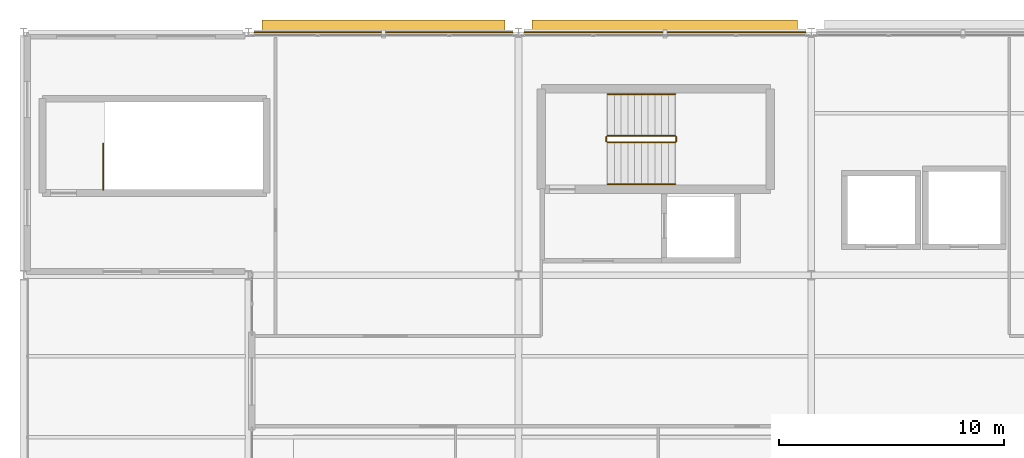
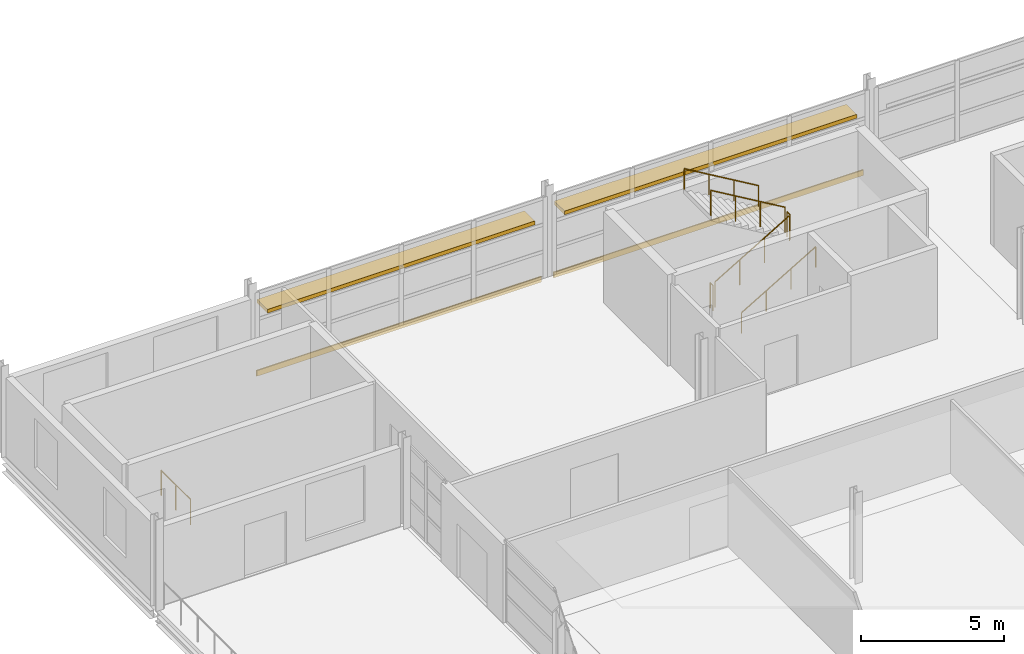
# One storey, part 32 of 33: 7 railings, 2 coverings, 2 shading devices.
"""IFC4 building model written with IfcOpenShell, lengths in metres."""

from ifc_helpers import new_model, si_unit, direction, frame, origin, origin_2d, place, context, subcontext, project, spatial, rectangle, circle, extrude, material, layer, layer_set, type_object, element, save


model = new_model("IFC4")

# Units and contexts
model_context = context("Model", 3, precision=1e-05, world=origin(), true_north=direction((0.0, 1.0)))
body_context = subcontext(model_context, "Body", "Model", "MODEL_VIEW")
ifc_project = project(units=[si_unit("LENGTHUNIT", "METRE"), si_unit("AREAUNIT", "SQUARE_METRE"), si_unit("VOLUMEUNIT", "CUBIC_METRE"), si_unit("PLANEANGLEUNIT", "RADIAN"), si_unit("MASSUNIT", "GRAM", prefix="KILO")], contexts=[model_context])

# Site, building, storey
site_placement = place(None, origin())
site = spatial("IfcSite", under=ifc_project, at=site_placement, CompositionType="ELEMENT")
building_placement = place(site_placement, origin())
building = spatial("IfcBuilding", under=site, at=building_placement, Name="Tamarisk Ironworks Central Station", CompositionType="ELEMENT")
storey_placement = place(building_placement, frame((0.0, 0.0, 21.300048828125)))
storey = spatial("IfcBuildingStorey", under=building, at=storey_placement, Name="L04", CompositionType="ELEMENT", Elevation=21.300048828125)

# Coverings
ifc_material_1 = material(Name="Clay facing brickwork and mortar", Category="masonry")
ifc_layer = layer(ifc_material_1, 0.050048828125)
ifc_layer_set = layer_set([ifc_layer], Name="Clay facing brickwork and mortar")
covering_type = type_object("IfcCoveringType", Name="COV-CLAD", PredefinedType="CLADDING", material=ifc_layer_set)
covering_1_placement = place(storey_placement, frame((134.0, 122.389892578125, -0.240234375), z_axis=(0.0, 0.0, 1.0), x_axis=(1.0, 0.0, 0.0)))
element("IfcCovering", 1, at=covering_1_placement, inside=storey, type_object=covering_type, Name="L04 terracotta slab-edge spandrel cladding 020", PredefinedType="CLADDING", context=body_context, shape_type="SweptSolid", body=[
    extrude(rectangle(XDim=11.5, YDim=0.050048828125, at=origin_2d()), origin(), (0.0, 0.0, 1.0), 0.239990234375),
])
covering_2_placement = place(storey_placement, frame((146.5, 122.389892578125, -0.240234375), z_axis=(0.0, 0.0, 1.0), x_axis=(1.0, 0.0, 0.0)))
element("IfcCovering", 2, at=covering_2_placement, inside=storey, type_object=covering_type, Name="L04 terracotta slab-edge spandrel cladding 021", PredefinedType="CLADDING", context=body_context, shape_type="SweptSolid", body=[
    extrude(rectangle(XDim=12.5, YDim=0.050048828125, at=origin_2d()), origin(), (0.0, 0.0, 1.0), 0.239990234375),
])

# Railings
ifc_material_2 = material(Name="Brushed stainless steel AISI 316", Category="steel")
railing_type_1 = type_object("IfcRailingType", Name="RL-GUARD-INT", PredefinedType="BALUSTRADE", material=ifc_material_2)
railing_1_placement = place(storey_placement, frame((143.949951171875, 117.5, 0.17724609375)))
element("IfcRailing", 3, at=railing_1_placement, inside=storey, type_object=railing_type_1, Name="L04 ST-C1 stair guard 1", PredefinedType="BALUSTRADE", context=body_context, shape_type="SweptSolid", body=[
    extrude(circle(Radius=0.02392578125, at=origin_2d()), frame((0.0, 0.0, 1.076171875), z_axis=(0.86092931783, 0.0, 0.508724591208), x_axis=(0.0, 1.0, 0.0)), (0.0, 0.0, 1.0), 3.484619140625),
    extrude(circle(Radius=0.02099609375, at=origin_2d()), origin(), (0.0, 0.0, 1.0), 1.052001953125),
    extrude(circle(Radius=0.02099609375, at=origin_2d()), frame((1.0, 0.0, 0.5908203125)), (0.0, 0.0, 1.0), 1.052001953125),
    extrude(circle(Radius=0.02099609375, at=origin_2d()), frame((2.0, 0.0, 1.181884765625)), (0.0, 0.0, 1.0), 1.052001953125),
    extrude(circle(Radius=0.02099609375, at=origin_2d()), frame((3.0, 0.0, 1.772705078125)), (0.0, 0.0, 1.0), 1.052001953125),
])
railing_2_placement = place(storey_placement, frame((147.0, 117.550048828125, 1.949951171875)))
element("IfcRailing", 4, at=railing_2_placement, inside=storey, type_object=railing_type_1, Name="L04 ST-C1 stair guard 2", PredefinedType="BALUSTRADE", context=body_context, shape_type="SweptSolid", body=[
    extrude(circle(Radius=0.02392578125, at=origin_2d()), frame((0.0, 0.0, 1.076171875), z_axis=(0.0, 1.0, 0.0), x_axis=(-1.0, 0.0, 0.0)), (0.0, 0.0, 1.0), 0.199951171875),
    extrude(circle(Radius=0.02099609375, at=origin_2d()), origin(), (0.0, 0.0, 1.0), 1.052001953125),
    extrude(circle(Radius=0.02099609375, at=origin_2d()), frame((0.0, 0.199951171875, 0.0)), (0.0, 0.0, 1.0), 1.052001953125),
])
railing_3_placement = place(storey_placement, frame((146.949951171875, 117.800048828125, 2.127197265625)))
element("IfcRailing", 5, at=railing_3_placement, inside=storey, type_object=railing_type_1, Name="L04 ST-C1 stair guard 3", PredefinedType="BALUSTRADE", context=body_context, shape_type="SweptSolid", body=[
    extrude(circle(Radius=0.02392578125, at=origin_2d()), frame((0.0, 0.0, 1.076171875), z_axis=(-0.86092931783, 0.0, 0.508724591208), x_axis=(0.0, -1.0, 0.0)), (0.0, 0.0, 1.0), 3.484619140625),
    extrude(circle(Radius=0.02099609375, at=origin_2d()), origin(), (0.0, 0.0, 1.0), 1.052001953125),
    extrude(circle(Radius=0.02099609375, at=origin_2d()), frame((-1.0, 0.0, 0.5908203125)), (0.0, 0.0, 1.0), 1.052001953125),
    extrude(circle(Radius=0.02099609375, at=origin_2d()), frame((-2.0, 0.0, 1.181884765625)), (0.0, 0.0, 1.0), 1.052001953125),
    extrude(circle(Radius=0.02099609375, at=origin_2d()), frame((-3.0, 0.0, 1.772705078125)), (0.0, 0.0, 1.0), 1.052001953125),
])
railing_4_placement = place(storey_placement, frame((143.89990234375, 117.550048828125, 0.0)))
element("IfcRailing", 6, at=railing_4_placement, inside=storey, type_object=railing_type_1, Name="L04 ST-C1 stair guard 4", PredefinedType="BALUSTRADE", context=body_context, shape_type="SweptSolid", body=[
    extrude(circle(Radius=0.02392578125, at=origin_2d()), frame((0.0, 0.0, 1.076171875), z_axis=(0.0, 1.0, 0.0), x_axis=(-1.0, 0.0, 0.0)), (0.0, 0.0, 1.0), 0.199951171875),
    extrude(circle(Radius=0.02099609375, at=origin_2d()), origin(), (0.0, 0.0, 1.0), 1.052001953125),
    extrude(circle(Radius=0.02099609375, at=origin_2d()), frame((0.0, 0.199951171875, 0.0)), (0.0, 0.0, 1.0), 1.052001953125),
])
railing_5_placement = place(storey_placement, frame((121.550048828125, 115.39990234375, 0.0)))
element("IfcRailing", 7, at=railing_5_placement, inside=storey, type_object=railing_type_1, Name="L04 ST-C5 top well guard 1", PredefinedType="BALUSTRADE", context=body_context, shape_type="SweptSolid", body=[
    extrude(circle(Radius=0.02392578125, at=origin_2d()), frame((0.0, 0.0, 1.076171875), z_axis=(0.0, 1.0, 0.0), x_axis=(-1.0, 0.0, 0.0)), (0.0, 0.0, 1.0), 2.050048828125),
    extrude(circle(Radius=0.02099609375, at=origin_2d()), origin(), (0.0, 0.0, 1.0), 1.052001953125),
    extrude(circle(Radius=0.02099609375, at=origin_2d()), frame((0.0, 1.02490234375, 0.0)), (0.0, 0.0, 1.0), 1.052001953125),
    extrude(circle(Radius=0.02099609375, at=origin_2d()), frame((0.0, 2.050048828125, 0.0)), (0.0, 0.0, 1.0), 1.052001953125),
])
railing_type_2 = type_object("IfcRailingType", Name="RL-HAND", PredefinedType="HANDRAIL", material=ifc_material_2)
railing_6_placement = place(storey_placement, frame((143.949951171875, 115.64990234375, 0.17724609375)))
element("IfcRailing", 8, at=railing_6_placement, inside=storey, type_object=railing_type_2, Name="L04 ST-C1 stair handrail 1", PredefinedType="HANDRAIL", context=body_context, shape_type="SweptSolid", body=[
    extrude(circle(Radius=0.02392578125, at=origin_2d()), frame((0.0, 0.0, 0.8759765625), z_axis=(0.86092931783, 0.0, 0.508724591208), x_axis=(0.0, 1.0, 0.0)), (0.0, 0.0, 1.0), 3.484619140625),
    extrude(circle(Radius=0.02099609375, at=origin_2d()), origin(), (0.0, 0.0, 1.0), 0.851806640625),
    extrude(circle(Radius=0.02099609375, at=origin_2d()), frame((1.0, 0.0, 0.5908203125)), (0.0, 0.0, 1.0), 0.851806640625),
    extrude(circle(Radius=0.02099609375, at=origin_2d()), frame((2.0, 0.0, 1.181884765625)), (0.0, 0.0, 1.0), 0.851806640625),
    extrude(circle(Radius=0.02099609375, at=origin_2d()), frame((3.0, 0.0, 1.772705078125)), (0.0, 0.0, 1.0), 0.851806640625),
])
railing_7_placement = place(storey_placement, frame((146.949951171875, 119.64990234375, 2.127197265625)))
element("IfcRailing", 9, at=railing_7_placement, inside=storey, type_object=railing_type_2, Name="L04 ST-C1 stair handrail 2", PredefinedType="HANDRAIL", context=body_context, shape_type="SweptSolid", body=[
    extrude(circle(Radius=0.02392578125, at=origin_2d()), frame((0.0, 0.0, 0.8759765625), z_axis=(-0.86092931783, 0.0, 0.508724591208), x_axis=(0.0, -1.0, 0.0)), (0.0, 0.0, 1.0), 3.484619140625),
    extrude(circle(Radius=0.02099609375, at=origin_2d()), origin(), (0.0, 0.0, 1.0), 0.851806640625),
    extrude(circle(Radius=0.02099609375, at=origin_2d()), frame((-1.0, 0.0, 0.5908203125)), (0.0, 0.0, 1.0), 0.851806640625),
    extrude(circle(Radius=0.02099609375, at=origin_2d()), frame((-2.0, 0.0, 1.181884765625)), (0.0, 0.0, 1.0), 0.851806640625),
    extrude(circle(Radius=0.02099609375, at=origin_2d()), frame((-3.0, 0.0, 1.772705078125)), (0.0, 0.0, 1.0), 0.851806640625),
])

# Shading devices
ifc_material_3 = material(Name="Anodized aluminium alloy 6063-T6", Category="aluminium")
shading_device_type = type_object("IfcShadingDeviceType", Name="SHD-LV02", PredefinedType="JALOUSIE", material=ifc_material_3)
shading_device_1_placement = place(storey_placement, frame((134.0, 122.580078125, 2.419921875), z_axis=(0.0, 0.0, 1.0), x_axis=(1.0, 0.0, 0.0)))
element("IfcShadingDevice", 10, at=shading_device_1_placement, inside=storey, type_object=shading_device_type, Name="L04 north horizontal solar jalousie canopy 012", PredefinedType="JALOUSIE", context=body_context, shape_type="SweptSolid", body=[
    extrude(rectangle(XDim=10.800048828125, YDim=0.719970703125, at=origin_2d()), origin(), (0.0, 0.0, 1.0), 0.159912109375),
])
shading_device_2_placement = place(storey_placement, frame((146.5, 122.580078125, 2.419921875), z_axis=(0.0, 0.0, 1.0), x_axis=(1.0, 0.0, 0.0)))
element("IfcShadingDevice", 11, at=shading_device_2_placement, inside=storey, type_object=shading_device_type, Name="L04 north horizontal solar jalousie canopy 013", PredefinedType="JALOUSIE", context=body_context, shape_type="SweptSolid", body=[
    extrude(rectangle(XDim=11.800048828125, YDim=0.719970703125, at=origin_2d()), origin(), (0.0, 0.0, 1.0), 0.159912109375),
])

save(model, "model.ifc")
